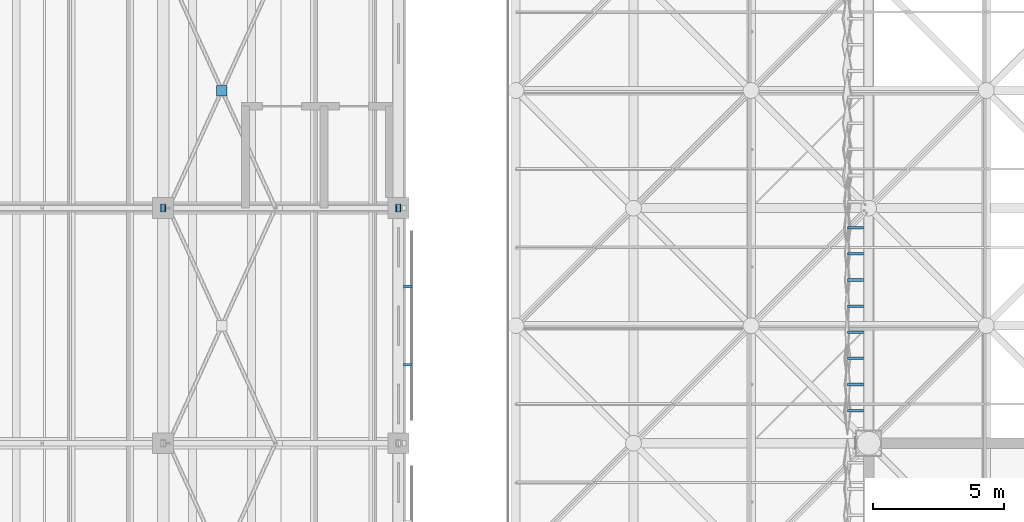
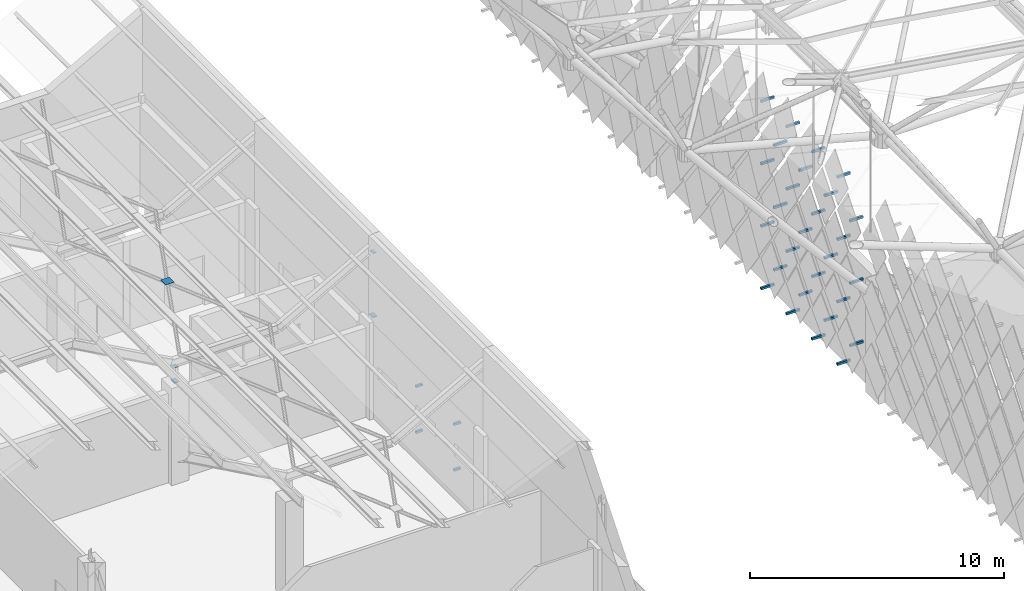
# One storey, part 356 of 437: 37 discrete accessories.
"""IFC4 building model written with IfcOpenShell, lengths in metres."""

from ifc_helpers import new_model, si_unit, direction, frame, origin, origin_2d, place, context, subcontext, project, spatial, polyline, rectangle, outline, extrude, material, layer, layer_set, type_object, element, save


model = new_model("IFC4")

# Units and contexts
model_context = context("Model", 3, precision=1e-05, world=origin(), true_north=direction((0.0, 1.0)))
body_context = subcontext(model_context, "Body", "Model", "MODEL_VIEW")
ifc_project = project(units=[si_unit("LENGTHUNIT", "METRE"), si_unit("AREAUNIT", "SQUARE_METRE"), si_unit("VOLUMEUNIT", "CUBIC_METRE"), si_unit("PLANEANGLEUNIT", "RADIAN"), si_unit("MASSUNIT", "GRAM", prefix="KILO")], contexts=[model_context])

# Site, building, storey
site_placement = place(None, origin())
site = spatial("IfcSite", under=ifc_project, at=site_placement, CompositionType="ELEMENT")
building_placement = place(site_placement, origin())
building = spatial("IfcBuilding", under=site, at=building_placement, Name="Opaline Strait Convention Centre", CompositionType="ELEMENT")
storey_placement = place(building_placement, frame((0.0, 0.0, 11.5)))
storey = spatial("IfcBuildingStorey", under=building, at=storey_placement, Name="L02", CompositionType="ELEMENT", Elevation=11.5)

# Discrete accessories
ifc_material_1 = material(Name="Steel Q355B", Category="steel")
ifc_layer_1 = layer(ifc_material_1, 0.02001953125)
ifc_layer_set_1 = layer_set([ifc_layer_1], Name="Steel Q355B")
discrete_accessory_type_1 = type_object("IfcDiscreteAccessoryType", Name="Roof post base plate 300 x 200 x 20", PredefinedType="ANCHORPLATE", material=ifc_layer_set_1)
for number, where, z_axis, x_axis, name in (
    (1, (72.0, 81.0, 4.669921875), (0.0, 0.0, 1.0), (1.0, 0.0, 0.0), "Roof post base plate at 72/81"),
    (2, (81.0, 81.0, 4.669921875), (0.0, 0.0, 1.0), (1.0, 0.0, 0.0), "Roof post base plate at 81/81"),
):
    element("IfcDiscreteAccessory", number, at=place(storey_placement, frame(where, z_axis=z_axis, x_axis=x_axis)), inside=storey, type_object=discrete_accessory_type_1, Name=name, PredefinedType="ANCHORPLATE", context=body_context, shape_type="SweptSolid", body=[
        extrude(rectangle(XDim=0.199951171875, YDim=0.300048828125, at=origin_2d()), origin(), (0.0, 0.0, 1.0), 0.02001953125),
    ])
ifc_layer_2 = layer(ifc_material_1, 0.014892578125)
ifc_layer_set_2 = layer_set([ifc_layer_2], Name="Steel Q355B")
discrete_accessory_type_2 = type_object("IfcDiscreteAccessoryType", Name="Roof post cap plate 250 x 150 x 15", PredefinedType="ANCHORPLATE", material=ifc_layer_set_2)
for number, where, z_axis, x_axis, name in (
    (3, (72.0, 81.0, 5.38525390625), (0.0, 0.0, 1.0), (1.0, 0.0, 0.0), "Roof post cap plate at 72/81"),
    (4, (81.0, 81.0, 7.72119140625), (0.0, 0.0, 1.0), (1.0, 0.0, 0.0), "Roof post cap plate at 81/81"),
):
    element("IfcDiscreteAccessory", number, at=place(storey_placement, frame(where, z_axis=z_axis, x_axis=x_axis)), inside=storey, type_object=discrete_accessory_type_2, Name=name, PredefinedType="ANCHORPLATE", context=body_context, shape_type="SweptSolid", body=[
        extrude(rectangle(XDim=0.14990234375, YDim=0.25, at=origin_2d()), origin(), (0.0, 0.0, 1.0), 0.014892578125),
    ])
ifc_material_2 = material(Name="Stainless steel 316", Category="steel")
discrete_accessory_type_3 = type_object("IfcDiscreteAccessoryType", Name="Screen bracket 300 stainless steel 316", PredefinedType="BRACKET", material=ifc_material_2)
for number, where, z_axis, x_axis, name in (
    (5, (81.35009765625, 75.0, 0.75), (0.0, 0.0, 1.0), (1.0, 0.0, 0.0), "Screen bracket L02 bay 8"),
    (6, (81.35009765625, 75.0, 2.949951171875), (0.0, 0.0, 1.0), (1.0, 0.0, 0.0), "Screen bracket L02 bay 8"),
    (7, (81.35009765625, 78.0, 0.75), (0.0, 0.0, 1.0), (1.0, 0.0, 0.0), "Screen bracket L02 bay 8"),
    (8, (81.35009765625, 78.0, 2.949951171875), (0.0, 0.0, 1.0), (1.0, 0.0, 0.0), "Screen bracket L02 bay 8"),
):
    element("IfcDiscreteAccessory", number, at=place(storey_placement, frame(where, z_axis=z_axis, x_axis=x_axis)), inside=storey, type_object=discrete_accessory_type_3, Name=name, PredefinedType="BRACKET", context=body_context, shape_type="SweptSolid", body=[
        extrude(rectangle(XDim=0.300048828125, YDim=0.10009765625, at=origin_2d()), origin(), (0.0, 0.0, 1.0), 0.10009765625),
    ])
discrete_accessory_type_4 = type_object("IfcDiscreteAccessoryType", Name="Tile bracket 100x100 steel", PredefinedType="BRACKET", material=ifc_material_1)
discrete_accessory_1_placement = place(storey_placement, frame((98.800048828125, 80.300048828125, 0.39208984375), z_axis=(0.0, -1.0, 0.0), x_axis=(1.0, 0.0, 0.0)))
element("IfcDiscreteAccessory", 9, at=discrete_accessory_1_placement, inside=storey, type_object=discrete_accessory_type_4, Name="Tile bracket XT05 W", PredefinedType="BRACKET", context=body_context, shape_type="SweptSolid", body=[
    extrude(outline(polyline([(0.0, -0.050048828125), (0.0, 0.050048828125), (-0.602294921875, 0.050048828125), (-0.597900390625, -0.050048828125), (0.0, -0.050048828125)])), origin(), (0.0, 0.0, 1.0), 0.10009765625),
])
discrete_accessory_2_placement = place(storey_placement, frame((98.800048828125, 78.300048828125, 0.39208984375), z_axis=(0.0, -1.0, 0.0), x_axis=(1.0, 0.0, 0.0)))
element("IfcDiscreteAccessory", 10, at=discrete_accessory_2_placement, inside=storey, type_object=discrete_accessory_type_4, Name="Tile bracket XT07 W", PredefinedType="BRACKET", context=body_context, shape_type="SweptSolid", body=[
    extrude(outline(polyline([(0.0, -0.050048828125), (0.0, 0.050048828125), (-0.60302734375, 0.050048828125), (-0.596923828125, -0.050048828125), (0.0, -0.050048828125)])), origin(), (0.0, 0.0, 1.0), 0.10009765625),
])
discrete_accessory_3_placement = place(storey_placement, frame((98.800048828125, 76.300048828125, 0.39208984375), z_axis=(0.0, -1.0, 0.0), x_axis=(1.0, 0.0, 0.0)))
element("IfcDiscreteAccessory", 11, at=discrete_accessory_3_placement, inside=storey, type_object=discrete_accessory_type_4, Name="Tile bracket XT10 W", PredefinedType="BRACKET", context=body_context, shape_type="SweptSolid", body=[
    extrude(outline(polyline([(0.0, -0.050048828125), (0.0, 0.050048828125), (-0.604248046875, 0.050048828125), (-0.595703125, -0.050048828125), (0.0, -0.050048828125)])), origin(), (0.0, 0.0, 1.0), 0.10009765625),
])
discrete_accessory_4_placement = place(storey_placement, frame((98.800048828125, 74.300048828125, 0.39208984375), z_axis=(0.0, -1.0, 0.0), x_axis=(1.0, 0.0, 0.0)))
element("IfcDiscreteAccessory", 12, at=discrete_accessory_4_placement, inside=storey, type_object=discrete_accessory_type_4, Name="Tile bracket XT12 W", PredefinedType="BRACKET", context=body_context, shape_type="SweptSolid", body=[
    extrude(outline(polyline([(0.0, -0.050048828125), (0.0, 0.050048828125), (-0.605224609375, 0.050048828125), (-0.5947265625, -0.050048828125), (0.0, -0.050048828125)])), origin(), (0.0, 0.0, 1.0), 0.10009765625),
])
discrete_accessory_5_placement = place(storey_placement, frame((98.800048828125, 79.300048828125, 1.89208984375), z_axis=(0.0, -1.0, 0.0), x_axis=(1.0, 0.0, 0.0)))
element("IfcDiscreteAccessory", 13, at=discrete_accessory_5_placement, inside=storey, type_object=discrete_accessory_type_4, Name="Tile bracket XT05 W", PredefinedType="BRACKET", context=body_context, shape_type="SweptSolid", body=[
    extrude(outline(polyline([(0.0, -0.050048828125), (0.0, 0.050048828125), (-0.602294921875, 0.050048828125), (-0.597900390625, -0.050048828125), (0.0, -0.050048828125)])), origin(), (0.0, 0.0, 1.0), 0.10009765625),
])
discrete_accessory_6_placement = place(storey_placement, frame((98.800048828125, 77.300048828125, 1.89208984375), z_axis=(0.0, -1.0, 0.0), x_axis=(1.0, 0.0, 0.0)))
element("IfcDiscreteAccessory", 14, at=discrete_accessory_6_placement, inside=storey, type_object=discrete_accessory_type_4, Name="Tile bracket XT06 W", PredefinedType="BRACKET", context=body_context, shape_type="SweptSolid", body=[
    extrude(outline(polyline([(0.0, -0.050048828125), (0.0, 0.050048828125), (-0.6025390625, 0.050048828125), (-0.597412109375, -0.050048828125), (0.0, -0.050048828125)])), origin(), (0.0, 0.0, 1.0), 0.10009765625),
])
discrete_accessory_7_placement = place(storey_placement, frame((98.800048828125, 75.300048828125, 1.89208984375), z_axis=(0.0, -1.0, 0.0), x_axis=(1.0, 0.0, 0.0)))
element("IfcDiscreteAccessory", 15, at=discrete_accessory_7_placement, inside=storey, type_object=discrete_accessory_type_4, Name="Tile bracket XT10 W", PredefinedType="BRACKET", context=body_context, shape_type="SweptSolid", body=[
    extrude(outline(polyline([(0.0, -0.050048828125), (0.0, 0.050048828125), (-0.604248046875, 0.050048828125), (-0.595703125, -0.050048828125), (0.0, -0.050048828125)])), origin(), (0.0, 0.0, 1.0), 0.10009765625),
])
discrete_accessory_8_placement = place(storey_placement, frame((98.800048828125, 73.300048828125, 1.89208984375), z_axis=(0.0, -1.0, 0.0), x_axis=(1.0, 0.0, 0.0)))
element("IfcDiscreteAccessory", 16, at=discrete_accessory_8_placement, inside=storey, type_object=discrete_accessory_type_4, Name="Tile bracket XT11 W", PredefinedType="BRACKET", context=body_context, shape_type="SweptSolid", body=[
    extrude(outline(polyline([(0.0, -0.050048828125), (0.0, 0.050048828125), (-0.604736328125, 0.050048828125), (-0.59521484375, -0.050048828125), (0.0, -0.050048828125)])), origin(), (0.0, 0.0, 1.0), 0.10009765625),
])
discrete_accessory_9_placement = place(storey_placement, frame((98.800048828125, 80.300048828125, 3.39208984375), z_axis=(0.0, -1.0, 0.0), x_axis=(1.0, 0.0, 0.0)))
element("IfcDiscreteAccessory", 17, at=discrete_accessory_9_placement, inside=storey, type_object=discrete_accessory_type_4, Name="Tile bracket XT05 W", PredefinedType="BRACKET", context=body_context, shape_type="SweptSolid", body=[
    extrude(outline(polyline([(0.0, -0.050048828125), (0.0, 0.050048828125), (-0.597900390625, 0.050048828125), (-0.602294921875, -0.050048828125), (0.0, -0.050048828125)])), origin(), (0.0, 0.0, 1.0), 0.10009765625),
])
discrete_accessory_10_placement = place(storey_placement, frame((98.800048828125, 78.300048828125, 3.39208984375), z_axis=(0.0, -1.0, 0.0), x_axis=(1.0, 0.0, 0.0)))
element("IfcDiscreteAccessory", 18, at=discrete_accessory_10_placement, inside=storey, type_object=discrete_accessory_type_4, Name="Tile bracket XT05 W", PredefinedType="BRACKET", context=body_context, shape_type="SweptSolid", body=[
    extrude(outline(polyline([(0.0, -0.050048828125), (0.0, 0.050048828125), (-0.602294921875, 0.050048828125), (-0.597900390625, -0.050048828125), (0.0, -0.050048828125)])), origin(), (0.0, 0.0, 1.0), 0.10009765625),
])
discrete_accessory_11_placement = place(storey_placement, frame((98.800048828125, 76.300048828125, 3.39208984375), z_axis=(0.0, -1.0, 0.0), x_axis=(1.0, 0.0, 0.0)))
element("IfcDiscreteAccessory", 19, at=discrete_accessory_11_placement, inside=storey, type_object=discrete_accessory_type_4, Name="Tile bracket XT06 W", PredefinedType="BRACKET", context=body_context, shape_type="SweptSolid", body=[
    extrude(outline(polyline([(0.0, -0.050048828125), (0.0, 0.050048828125), (-0.6025390625, 0.050048828125), (-0.597412109375, -0.050048828125), (0.0, -0.050048828125)])), origin(), (0.0, 0.0, 1.0), 0.10009765625),
])
discrete_accessory_12_placement = place(storey_placement, frame((98.800048828125, 74.300048828125, 3.39208984375), z_axis=(0.0, -1.0, 0.0), x_axis=(1.0, 0.0, 0.0)))
element("IfcDiscreteAccessory", 20, at=discrete_accessory_12_placement, inside=storey, type_object=discrete_accessory_type_4, Name="Tile bracket XT09 W", PredefinedType="BRACKET", context=body_context, shape_type="SweptSolid", body=[
    extrude(outline(polyline([(0.0, -0.050048828125), (0.0, 0.050048828125), (-0.60400390625, 0.050048828125), (-0.595947265625, -0.050048828125), (0.0, -0.050048828125)])), origin(), (0.0, 0.0, 1.0), 0.10009765625),
])
discrete_accessory_13_placement = place(storey_placement, frame((98.800048828125, 79.300048828125, 4.89208984375), z_axis=(0.0, -1.0, 0.0), x_axis=(1.0, 0.0, 0.0)))
element("IfcDiscreteAccessory", 21, at=discrete_accessory_13_placement, inside=storey, type_object=discrete_accessory_type_4, Name="Tile bracket XT05 W", PredefinedType="BRACKET", context=body_context, shape_type="SweptSolid", body=[
    extrude(outline(polyline([(0.0, -0.050048828125), (0.0, 0.050048828125), (-0.597900390625, 0.050048828125), (-0.602294921875, -0.050048828125), (0.0, -0.050048828125)])), origin(), (0.0, 0.0, 1.0), 0.10009765625),
])
for number, where, z_axis, x_axis, name in (
    (22, (98.800048828125, 77.300048828125, 4.89208984375), (0.0, -1.0, 0.0), (1.0, 0.0, 0.0), "Tile bracket XT05 W"),
    (23, (98.800048828125, 75.300048828125, 4.89208984375), (0.0, -1.0, 0.0), (1.0, 0.0, 0.0), "Tile bracket XT05 W"),
):
    element("IfcDiscreteAccessory", number, at=place(storey_placement, frame(where, z_axis=z_axis, x_axis=x_axis)), inside=storey, type_object=discrete_accessory_type_4, Name=name, PredefinedType="BRACKET", context=body_context, shape_type="SweptSolid", body=[
        extrude(outline(polyline([(0.0, -0.050048828125), (0.0, 0.050048828125), (-0.602294921875, 0.050048828125), (-0.597900390625, -0.050048828125), (0.0, -0.050048828125)])), origin(), (0.0, 0.0, 1.0), 0.10009765625),
    ])
discrete_accessory_14_placement = place(storey_placement, frame((98.800048828125, 73.300048828125, 4.89208984375), z_axis=(0.0, -1.0, 0.0), x_axis=(1.0, 0.0, 0.0)))
element("IfcDiscreteAccessory", 24, at=discrete_accessory_14_placement, inside=storey, type_object=discrete_accessory_type_4, Name="Tile bracket XT08 W", PredefinedType="BRACKET", context=body_context, shape_type="SweptSolid", body=[
    extrude(outline(polyline([(0.0, -0.050048828125), (0.0, 0.050048828125), (-0.603515625, 0.050048828125), (-0.596435546875, -0.050048828125), (0.0, -0.050048828125)])), origin(), (0.0, 0.0, 1.0), 0.10009765625),
])
discrete_accessory_15_placement = place(storey_placement, frame((98.800048828125, 80.300048828125, 6.39208984375), z_axis=(0.0, -1.0, 0.0), x_axis=(1.0, 0.0, 0.0)))
element("IfcDiscreteAccessory", 25, at=discrete_accessory_15_placement, inside=storey, type_object=discrete_accessory_type_4, Name="Tile bracket XT08 W", PredefinedType="BRACKET", context=body_context, shape_type="SweptSolid", body=[
    extrude(outline(polyline([(0.0, -0.050048828125), (0.0, 0.050048828125), (-0.596435546875, 0.050048828125), (-0.603515625, -0.050048828125), (0.0, -0.050048828125)])), origin(), (0.0, 0.0, 1.0), 0.10009765625),
])
discrete_accessory_16_placement = place(storey_placement, frame((98.800048828125, 78.300048828125, 6.39208984375), z_axis=(0.0, -1.0, 0.0), x_axis=(1.0, 0.0, 0.0)))
element("IfcDiscreteAccessory", 26, at=discrete_accessory_16_placement, inside=storey, type_object=discrete_accessory_type_4, Name="Tile bracket XT05 W", PredefinedType="BRACKET", context=body_context, shape_type="SweptSolid", body=[
    extrude(outline(polyline([(0.0, -0.050048828125), (0.0, 0.050048828125), (-0.597900390625, 0.050048828125), (-0.602294921875, -0.050048828125), (0.0, -0.050048828125)])), origin(), (0.0, 0.0, 1.0), 0.10009765625),
])
for number, where, z_axis, x_axis, name in (
    (27, (98.800048828125, 76.300048828125, 6.39208984375), (0.0, -1.0, 0.0), (1.0, 0.0, 0.0), "Tile bracket XT05 W"),
    (28, (98.800048828125, 74.300048828125, 6.39208984375), (0.0, -1.0, 0.0), (1.0, 0.0, 0.0), "Tile bracket XT05 W"),
):
    element("IfcDiscreteAccessory", number, at=place(storey_placement, frame(where, z_axis=z_axis, x_axis=x_axis)), inside=storey, type_object=discrete_accessory_type_4, Name=name, PredefinedType="BRACKET", context=body_context, shape_type="SweptSolid", body=[
        extrude(outline(polyline([(0.0, -0.050048828125), (0.0, 0.050048828125), (-0.602294921875, 0.050048828125), (-0.597900390625, -0.050048828125), (0.0, -0.050048828125)])), origin(), (0.0, 0.0, 1.0), 0.10009765625),
    ])
discrete_accessory_17_placement = place(storey_placement, frame((98.800048828125, 79.300048828125, 7.89208984375), z_axis=(0.0, -1.0, 0.0), x_axis=(1.0, 0.0, 0.0)))
element("IfcDiscreteAccessory", 29, at=discrete_accessory_17_placement, inside=storey, type_object=discrete_accessory_type_4, Name="Tile bracket XT09 W", PredefinedType="BRACKET", context=body_context, shape_type="SweptSolid", body=[
    extrude(outline(polyline([(0.0, -0.050048828125), (0.0, 0.050048828125), (-0.595947265625, 0.050048828125), (-0.60400390625, -0.050048828125), (0.0, -0.050048828125)])), origin(), (0.0, 0.0, 1.0), 0.10009765625),
])
discrete_accessory_18_placement = place(storey_placement, frame((98.800048828125, 77.300048828125, 7.89208984375), z_axis=(0.0, -1.0, 0.0), x_axis=(1.0, 0.0, 0.0)))
element("IfcDiscreteAccessory", 30, at=discrete_accessory_18_placement, inside=storey, type_object=discrete_accessory_type_4, Name="Tile bracket XT05 W", PredefinedType="BRACKET", context=body_context, shape_type="SweptSolid", body=[
    extrude(outline(polyline([(0.0, -0.050048828125), (0.0, 0.050048828125), (-0.597900390625, 0.050048828125), (-0.602294921875, -0.050048828125), (0.0, -0.050048828125)])), origin(), (0.0, 0.0, 1.0), 0.10009765625),
])
for number, where, z_axis, x_axis, name in (
    (31, (98.800048828125, 75.300048828125, 7.89208984375), (0.0, -1.0, 0.0), (1.0, 0.0, 0.0), "Tile bracket XT05 W"),
    (32, (98.800048828125, 73.300048828125, 7.89208984375), (0.0, -1.0, 0.0), (1.0, 0.0, 0.0), "Tile bracket XT05 W"),
):
    element("IfcDiscreteAccessory", number, at=place(storey_placement, frame(where, z_axis=z_axis, x_axis=x_axis)), inside=storey, type_object=discrete_accessory_type_4, Name=name, PredefinedType="BRACKET", context=body_context, shape_type="SweptSolid", body=[
        extrude(outline(polyline([(0.0, -0.050048828125), (0.0, 0.050048828125), (-0.602294921875, 0.050048828125), (-0.597900390625, -0.050048828125), (0.0, -0.050048828125)])), origin(), (0.0, 0.0, 1.0), 0.10009765625),
    ])
discrete_accessory_19_placement = place(storey_placement, frame((98.800048828125, 80.300048828125, 9.39208984375), z_axis=(0.0, -1.0, 0.0), x_axis=(1.0, 0.0, 0.0)))
element("IfcDiscreteAccessory", 33, at=discrete_accessory_19_placement, inside=storey, type_object=discrete_accessory_type_4, Name="Tile bracket XT12 W", PredefinedType="BRACKET", context=body_context, shape_type="SweptSolid", body=[
    extrude(outline(polyline([(0.0, -0.050048828125), (0.0, 0.050048828125), (-0.5947265625, 0.050048828125), (-0.605224609375, -0.050048828125), (0.0, -0.050048828125)])), origin(), (0.0, 0.0, 1.0), 0.10009765625),
])
discrete_accessory_20_placement = place(storey_placement, frame((98.800048828125, 78.300048828125, 9.39208984375), z_axis=(0.0, -1.0, 0.0), x_axis=(1.0, 0.0, 0.0)))
element("IfcDiscreteAccessory", 34, at=discrete_accessory_20_placement, inside=storey, type_object=discrete_accessory_type_4, Name="Tile bracket XT09 W", PredefinedType="BRACKET", context=body_context, shape_type="SweptSolid", body=[
    extrude(outline(polyline([(0.0, -0.050048828125), (0.0, 0.050048828125), (-0.595947265625, 0.050048828125), (-0.60400390625, -0.050048828125), (0.0, -0.050048828125)])), origin(), (0.0, 0.0, 1.0), 0.10009765625),
])
discrete_accessory_21_placement = place(storey_placement, frame((98.800048828125, 76.300048828125, 9.39208984375), z_axis=(0.0, -1.0, 0.0), x_axis=(1.0, 0.0, 0.0)))
element("IfcDiscreteAccessory", 35, at=discrete_accessory_21_placement, inside=storey, type_object=discrete_accessory_type_4, Name="Tile bracket XT05 W", PredefinedType="BRACKET", context=body_context, shape_type="SweptSolid", body=[
    extrude(outline(polyline([(0.0, -0.050048828125), (0.0, 0.050048828125), (-0.597900390625, 0.050048828125), (-0.602294921875, -0.050048828125), (0.0, -0.050048828125)])), origin(), (0.0, 0.0, 1.0), 0.10009765625),
])
discrete_accessory_22_placement = place(storey_placement, frame((98.800048828125, 74.300048828125, 9.39208984375), z_axis=(0.0, -1.0, 0.0), x_axis=(1.0, 0.0, 0.0)))
element("IfcDiscreteAccessory", 36, at=discrete_accessory_22_placement, inside=storey, type_object=discrete_accessory_type_4, Name="Tile bracket XT05 W", PredefinedType="BRACKET", context=body_context, shape_type="SweptSolid", body=[
    extrude(outline(polyline([(0.0, -0.050048828125), (0.0, 0.050048828125), (-0.602294921875, 0.050048828125), (-0.597900390625, -0.050048828125), (0.0, -0.050048828125)])), origin(), (0.0, 0.0, 1.0), 0.10009765625),
])
ifc_layer_3 = layer(ifc_material_1, 0.014892578125)
ifc_layer_set_3 = layer_set([ifc_layer_3], Name="Steel Q355B")
discrete_accessory_type_5 = type_object("IfcDiscreteAccessoryType", Name="X-brace gusset plate 400 x 400 x 15", PredefinedType="ANCHORPLATE", material=ifc_layer_set_3)
discrete_accessory_23_placement = place(storey_placement, frame((74.25, 85.5, 5.93994140625), z_axis=(0.0, 0.0, 1.0), x_axis=(1.0, 0.0, 0.0)))
element("IfcDiscreteAccessory", 37, at=discrete_accessory_23_placement, inside=storey, type_object=discrete_accessory_type_5, Name="X-brace gusset plate bay 9 at 72", PredefinedType="ANCHORPLATE", context=body_context, shape_type="SweptSolid", body=[
    extrude(rectangle(XDim=0.39990234375, YDim=0.39990234375, at=origin_2d()), origin(), (0.0, 0.0, 1.0), 0.014892578125),
])

save(model, "model.ifc")
